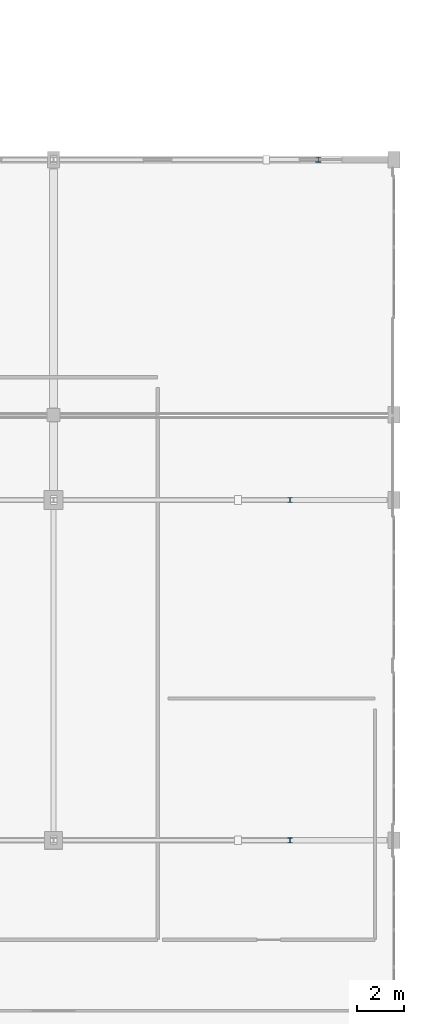
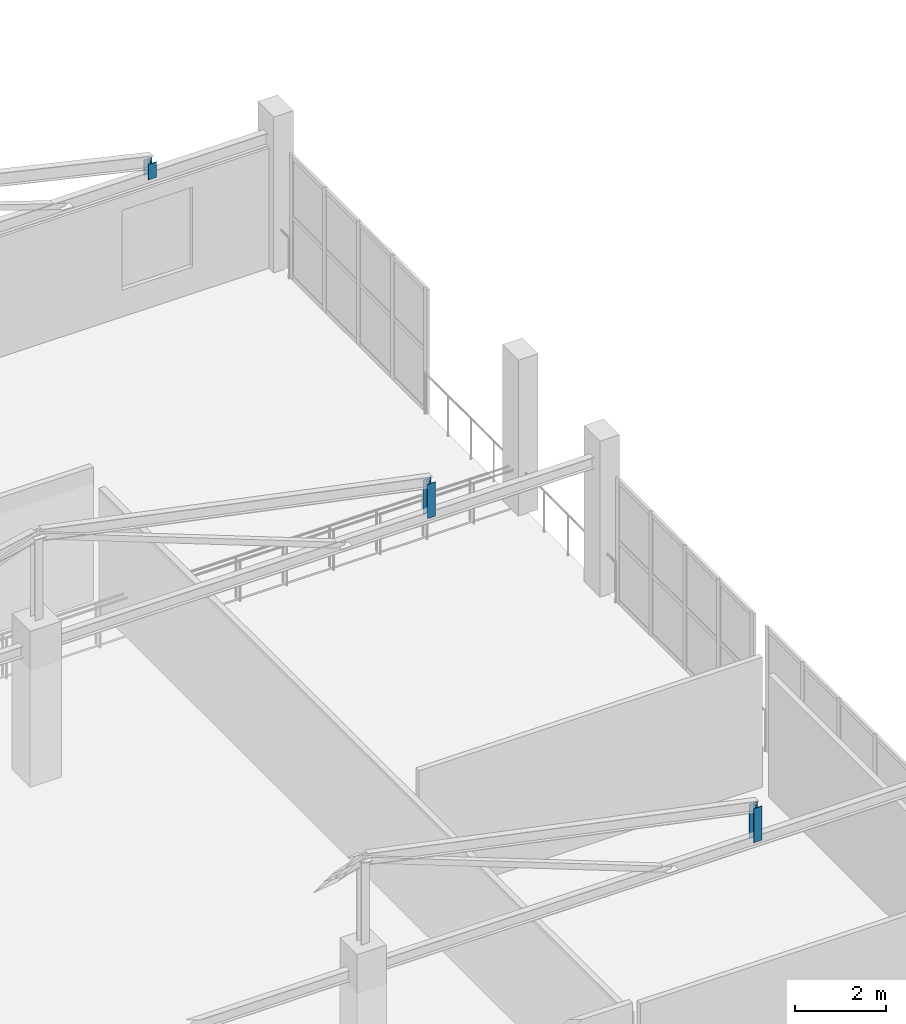
# One storey, part 46 of 92: 3 members.
"""IFC4 building model written with IfcOpenShell, lengths in metres."""

from ifc_helpers import new_model, si_unit, direction, frame, origin, origin_2d, place, context, subcontext, project, spatial, i_section, extrude, material, material_profile, profile_set, type_object, element, save


model = new_model("IFC4")

# Units and contexts
model_context = context("Model", 3, precision=1e-05, world=origin(), true_north=direction((0.0, 1.0)))
body_context = subcontext(model_context, "Body", "Model", "MODEL_VIEW")
ifc_project = project(units=[si_unit("LENGTHUNIT", "METRE"), si_unit("AREAUNIT", "SQUARE_METRE"), si_unit("VOLUMEUNIT", "CUBIC_METRE"), si_unit("PLANEANGLEUNIT", "RADIAN"), si_unit("MASSUNIT", "GRAM", prefix="KILO")], contexts=[model_context])

# Site, building, storey
site_placement = place(None, origin())
site = spatial("IfcSite", under=ifc_project, at=site_placement, CompositionType="ELEMENT")
building_placement = place(site_placement, origin())
building = spatial("IfcBuilding", under=site, at=building_placement, Name="Solanera Park Tramway Depot", CompositionType="ELEMENT")
storey_placement = place(building_placement, frame((0.0, 0.0, 4.800048828125)))
storey = spatial("IfcBuildingStorey", under=building, at=storey_placement, Name="L01", CompositionType="ELEMENT", Elevation=4.800048828125)

# Members
ifc_material = material(Name="Steel AS/NZS 3679.1 Grade 350", Category="steel")
ifc_material_profile = material_profile(ifc_material, i_section(OverallWidth=0.205078125, OverallDepth=0.209716796875, WebThickness=0.00927734375, FlangeThickness=0.01416015625, at=origin_2d()), Name="200UC59.5")
ifc_profile_set = profile_set([ifc_material_profile], Name="Steel AS/NZS 3679.1 Grade 350")
member_type = type_object("IfcMemberType", Name="Roof Gantry Compression Strut 200UC59.5", PredefinedType="STRUT", material=ifc_profile_set)
member_1_placement = place(storey_placement, frame((211.60009765625, 36.0, 3.453125), z_axis=(0.0, 0.0, 1.0), x_axis=(1.0, 0.0, 0.0)))
element("IfcMember", 1, at=member_1_placement, inside=storey, type_object=member_type, Name="Hip ROOF TRUSS Heel Post #0180", PredefinedType="STRUT", context=body_context, shape_type="SweptSolid", body=[
    extrude(i_section(OverallWidth=0.205078125, OverallDepth=0.209716796875, WebThickness=0.00927734375, FlangeThickness=0.01416015625, at=origin_2d()), origin(), (0.0, 0.0, 1.0), 0.918701171875),
])
member_2_placement = place(storey_placement, frame((211.60009765625, 50.39990234375, 3.451416015625), z_axis=(0.0, 0.0, 1.0), x_axis=(1.0, 0.0, 0.0)))
element("IfcMember", 2, at=member_2_placement, inside=storey, type_object=member_type, Name="Hip ROOF TRUSS Heel Post #0183", PredefinedType="STRUT", context=body_context, shape_type="SweptSolid", body=[
    extrude(i_section(OverallWidth=0.205078125, OverallDepth=0.209716796875, WebThickness=0.00927734375, FlangeThickness=0.01416015625, at=origin_2d()), origin(), (0.0, 0.0, 1.0), 0.922119140625),
])
member_3_placement = place(storey_placement, frame((212.800048828125, 64.800048828125, 3.42724609375), z_axis=(0.0, 0.0, 1.0), x_axis=(1.0, 0.0, 0.0)))
element("IfcMember", 3, at=member_3_placement, inside=storey, type_object=member_type, Name="Hip ROOF TRUSS Heel Post #0186", PredefinedType="STRUT", context=body_context, shape_type="SweptSolid", body=[
    extrude(i_section(OverallWidth=0.205078125, OverallDepth=0.209716796875, WebThickness=0.00927734375, FlangeThickness=0.01416015625, at=origin_2d()), origin(), (0.0, 0.0, 1.0), 0.41552734375),
])

save(model, "model.ifc")
